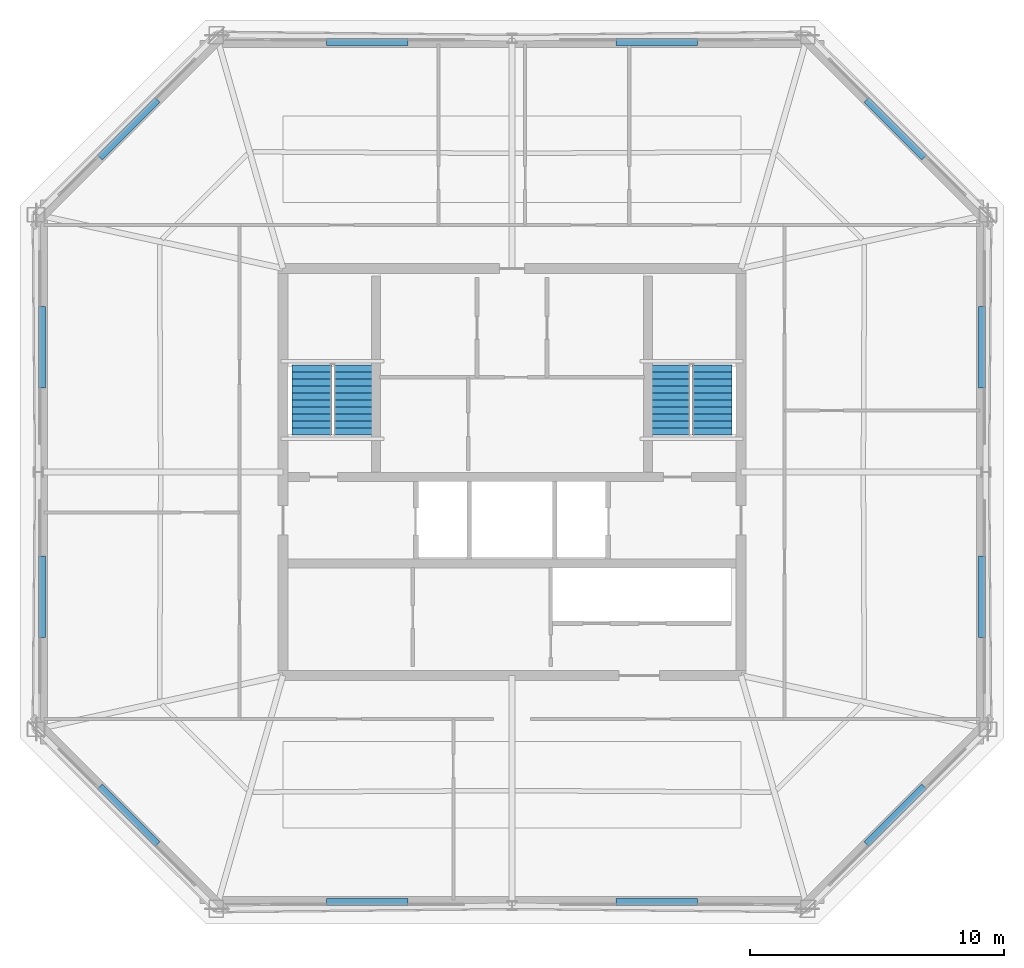
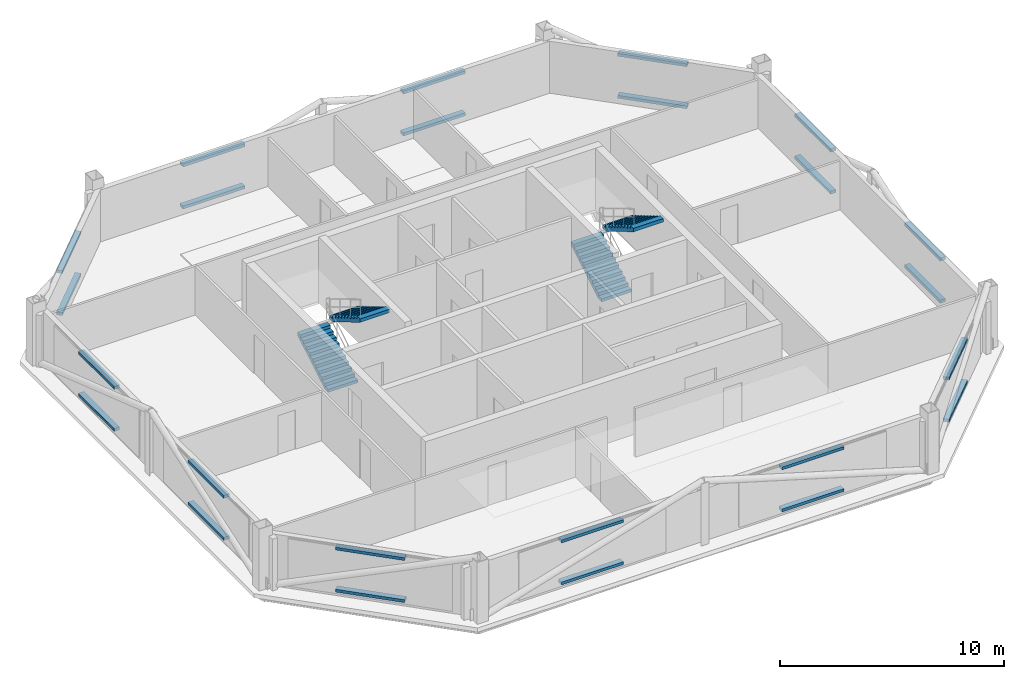
# One storey, part 4 of 6: 24 discrete accessories, 4 stair flights, 2 elements without a shape of their own.
"""IFC4 building model written with IfcOpenShell, lengths in metres."""

from ifc_helpers import new_model, si_unit, direction, frame, origin, origin_2d, place, context, subcontext, project, spatial, polyline, rectangle, outline, extrude, material, type_object, element, aggregate, save


model = new_model("IFC4")

# Units and contexts
model_context = context("Model", 3, precision=1e-05, world=origin(), true_north=direction((0.0, 1.0)))
body_context = subcontext(model_context, "Body", "Model", "MODEL_VIEW")
ifc_project = project(units=[si_unit("LENGTHUNIT", "METRE"), si_unit("AREAUNIT", "SQUARE_METRE"), si_unit("VOLUMEUNIT", "CUBIC_METRE"), si_unit("PLANEANGLEUNIT", "RADIAN"), si_unit("MASSUNIT", "GRAM", prefix="KILO")], contexts=[model_context])

# Site, building, storey
site_placement = place(None, origin())
site = spatial("IfcSite", under=ifc_project, at=site_placement, CompositionType="ELEMENT")
building_placement = place(site_placement, origin())
building = spatial("IfcBuilding", under=site, at=building_placement, Name="Caelvoria Tower", CompositionType="ELEMENT")
storey_placement = place(building_placement, frame((0.0, 0.0, 250.199951171875)))
storey = spatial("IfcBuildingStorey", under=building, at=storey_placement, Name="L66", CompositionType="ELEMENT", Elevation=250.199951171875)

# Stair, stair flights
ifc_material_1 = material(Name="Concrete C40/50", Category="concrete")
stair_type = type_object("IfcStairType", Name="Core Smokeproof Dogleg Stair Concrete C40/50", PredefinedType="HALF_TURN_STAIR", material=ifc_material_1)
stair_1_placement = place(storey_placement, origin())
stair_1 = element("IfcStair", 1, at=stair_1_placement, inside=storey, type_object=stair_type, Name="ST-01 Smokeproof Exit Stair L66", PredefinedType="HALF_TURN_STAIR")
ifc_material_2 = material(Name="Precast Concrete C40/50", Category="concrete")
stair_flight_type = type_object("IfcStairFlightType", Name="Precast Concrete C40/50 Stair Flight 1480", PredefinedType="STRAIGHT", material=ifc_material_2)
stair_flight_1_placement = place(storey_placement, frame((38.1298828125, 33.449951171875, 0.0), z_axis=(0.0, 0.0, 1.0), x_axis=(0.0, 1.0, 0.0)))
stair_flight_1 = element("IfcStairFlight", 2, at=stair_flight_1_placement, type_object=stair_flight_type, Name="ST-01 flight 1", NumberOfRisers=11, NumberOfTreads=10, PredefinedType="STRAIGHT", RiserHeight=0.1636, TreadLength=0.275, context=body_context, shape_type="SweptSolid", body=[
    extrude(outline(polyline([(0.0, 0.0), (0.0, 0.16357421875), (0.27490234375, 0.16357421875), (0.27490234375, 0.3271484375), (0.550048828125, 0.3271484375), (0.550048828125, 0.49072265625), (0.824951171875, 0.49072265625), (0.824951171875, 0.654296875), (1.10009765625, 0.654296875), (1.10009765625, 0.818115234375), (1.375, 0.818115234375), (1.375, 0.981689453125), (1.64990234375, 0.981689453125), (1.64990234375, 1.145263671875), (1.925048828125, 1.145263671875), (1.925048828125, 1.308837890625), (2.199951171875, 1.308837890625), (2.199951171875, 1.472412109375), (2.47509765625, 1.472412109375), (2.47509765625, 1.635986328125), (2.75, 1.635986328125), (2.75, 1.799560546875), (2.75, 1.449951171875), (0.312744140625, 0.0), (0.0, 0.0)])), frame((0.0, 0.77001953125, 0.0), z_axis=(0.0, -1.0, 0.0), x_axis=(1.0, 0.0, 0.0)), (0.0, 0.0, 1.0), 1.5400390625),
])
stair_flight_2_placement = place(storey_placement, frame((39.77001953125, 36.199951171875, 1.800048828125), z_axis=(0.0, 0.0, 1.0), x_axis=(0.0, -1.0, 0.0)))
stair_flight_2 = element("IfcStairFlight", 3, at=stair_flight_2_placement, type_object=stair_flight_type, Name="ST-01 flight 2", NumberOfRisers=11, NumberOfTreads=10, PredefinedType="STRAIGHT", RiserHeight=0.1636, TreadLength=0.275, context=body_context, shape_type="SweptSolid", body=[
    extrude(outline(polyline([(0.0, 0.0), (0.0, 0.16357421875), (0.27490234375, 0.16357421875), (0.27490234375, 0.3271484375), (0.550048828125, 0.3271484375), (0.550048828125, 0.49072265625), (0.824951171875, 0.49072265625), (0.824951171875, 0.654296875), (1.10009765625, 0.654296875), (1.10009765625, 0.818115234375), (1.375, 0.818115234375), (1.375, 0.981689453125), (1.64990234375, 0.981689453125), (1.64990234375, 1.145263671875), (1.925048828125, 1.145263671875), (1.925048828125, 1.308837890625), (2.199951171875, 1.308837890625), (2.199951171875, 1.472412109375), (2.47509765625, 1.472412109375), (2.47509765625, 1.635986328125), (2.75, 1.635986328125), (2.75, 1.799560546875), (2.75, 1.449951171875), (0.312744140625, 0.0), (0.0, 0.0)])), frame((0.0, 0.77001953125, 0.0), z_axis=(0.0, -1.0, 0.0), x_axis=(1.0, 0.0, 0.0)), (0.0, 0.0, 1.0), 1.5400390625),
])
aggregate(stair_1, [stair_flight_1, stair_flight_2])

stair_2_placement = place(storey_placement, origin())
stair_2 = element("IfcStair", 4, at=stair_2_placement, inside=storey, type_object=stair_type, Name="ST-02 Smokeproof Exit Stair L66", PredefinedType="HALF_TURN_STAIR")
stair_flight_3_placement = place(storey_placement, frame((52.22998046875, 33.449951171875, 0.0), z_axis=(0.0, 0.0, 1.0), x_axis=(0.0, 1.0, 0.0)))
stair_flight_3 = element("IfcStairFlight", 5, at=stair_flight_3_placement, type_object=stair_flight_type, Name="ST-02 flight 1", NumberOfRisers=11, NumberOfTreads=10, PredefinedType="STRAIGHT", RiserHeight=0.1636, TreadLength=0.275, context=body_context, shape_type="SweptSolid", body=[
    extrude(outline(polyline([(0.0, 0.0), (0.0, 0.16357421875), (0.27490234375, 0.16357421875), (0.27490234375, 0.3271484375), (0.550048828125, 0.3271484375), (0.550048828125, 0.49072265625), (0.824951171875, 0.49072265625), (0.824951171875, 0.654296875), (1.10009765625, 0.654296875), (1.10009765625, 0.818115234375), (1.375, 0.818115234375), (1.375, 0.981689453125), (1.64990234375, 0.981689453125), (1.64990234375, 1.145263671875), (1.925048828125, 1.145263671875), (1.925048828125, 1.308837890625), (2.199951171875, 1.308837890625), (2.199951171875, 1.472412109375), (2.47509765625, 1.472412109375), (2.47509765625, 1.635986328125), (2.75, 1.635986328125), (2.75, 1.799560546875), (2.75, 1.449951171875), (0.312744140625, 0.0), (0.0, 0.0)])), frame((0.0, 0.77001953125, 0.0), z_axis=(0.0, -1.0, 0.0), x_axis=(1.0, 0.0, 0.0)), (0.0, 0.0, 1.0), 1.5400390625),
])
stair_flight_4_placement = place(storey_placement, frame((53.8701171875, 36.199951171875, 1.800048828125), z_axis=(0.0, 0.0, 1.0), x_axis=(0.0, -1.0, 0.0)))
stair_flight_4 = element("IfcStairFlight", 6, at=stair_flight_4_placement, type_object=stair_flight_type, Name="ST-02 flight 2", NumberOfRisers=11, NumberOfTreads=10, PredefinedType="STRAIGHT", RiserHeight=0.1636, TreadLength=0.275, context=body_context, shape_type="SweptSolid", body=[
    extrude(outline(polyline([(0.0, 0.0), (0.0, 0.16357421875), (0.27490234375, 0.16357421875), (0.27490234375, 0.3271484375), (0.550048828125, 0.3271484375), (0.550048828125, 0.49072265625), (0.824951171875, 0.49072265625), (0.824951171875, 0.654296875), (1.10009765625, 0.654296875), (1.10009765625, 0.818115234375), (1.375, 0.818115234375), (1.375, 0.981689453125), (1.64990234375, 0.981689453125), (1.64990234375, 1.145263671875), (1.925048828125, 1.145263671875), (1.925048828125, 1.308837890625), (2.199951171875, 1.308837890625), (2.199951171875, 1.472412109375), (2.47509765625, 1.472412109375), (2.47509765625, 1.635986328125), (2.75, 1.635986328125), (2.75, 1.799560546875), (2.75, 1.449951171875), (0.312744140625, 0.0), (0.0, 0.0)])), frame((0.0, 0.77001953125, 0.0), z_axis=(0.0, -1.0, 0.0), x_axis=(1.0, 0.0, 0.0)), (0.0, 0.0, 1.0), 1.5400390625),
])
aggregate(stair_2, [stair_flight_3, stair_flight_4])

# Discrete accessories
ifc_material_3 = material(Name="Anodised Bronze Stainless Bracket", Category="bronze")
discrete_accessory_type = type_object("IfcDiscreteAccessoryType", Name="Solar Screen Outrigger Support Bracket", PredefinedType="BRACKET", material=ifc_material_3)
for number, where, z_axis, x_axis, name in (
    (7, (40.31640625, 15.103515625, 0.240234375), (0.0, 0.0, 1.0), (1.0, 0.0, 0.0), "Solar Screen Bracket L66-E0-00"),
    (8, (40.31640625, 15.103515625, 2.5322265625), (0.0, 0.0, 1.0), (1.0, 0.0, 0.0), "Upper Screen Band Bracket L66-E0-00"),
    (9, (51.68359375, 15.103515625, 0.240234375), (0.0, 0.0, 1.0), (1.0, 0.0, 0.0), "Solar Screen Bracket L66-E0-01"),
    (10, (51.68359375, 15.103515625, 2.5322265625), (0.0, 0.0, 1.0), (1.0, 0.0, 0.0), "Upper Screen Band Bracket L66-E0-01"),
    (11, (61.068603515625, 18.504150390625, 0.240234375), (0.0, 0.0, 1.0), (0.707106781187, 0.707106781187, 0.0), "Solar Screen Bracket L66-E1-00"),
    (12, (61.068603515625, 18.504150390625, 2.5322265625), (0.0, 0.0, 1.0), (0.707106781187, 0.707106781187, 0.0), "Upper Screen Band Bracket L66-E1-00"),
    (13, (64.46923828125, 27.102783203125, 0.240234375), (0.0, 0.0, 1.0), (0.0, 1.0, 0.0), "Solar Screen Bracket L66-E2-00"),
    (14, (64.46923828125, 27.102783203125, 2.5322265625), (0.0, 0.0, 1.0), (0.0, 1.0, 0.0), "Upper Screen Band Bracket L66-E2-00"),
    (15, (64.46923828125, 36.897216796875, 0.240234375), (0.0, 0.0, 1.0), (0.0, 1.0, 0.0), "Solar Screen Bracket L66-E2-01"),
    (16, (64.46923828125, 36.897216796875, 2.5322265625), (0.0, 0.0, 1.0), (0.0, 1.0, 0.0), "Upper Screen Band Bracket L66-E2-01"),
    (17, (61.068603515625, 45.495849609375, 0.240234375), (0.0, 0.0, 1.0), (-0.707106781187, 0.707106781187, 0.0), "Solar Screen Bracket L66-E3-00"),
    (18, (61.068603515625, 45.495849609375, 2.5322265625), (0.0, 0.0, 1.0), (-0.707106781187, 0.707106781187, 0.0), "Upper Screen Band Bracket L66-E3-00"),
    (19, (51.68359375, 48.896484375, 0.240234375), (0.0, 0.0, 1.0), (-1.0, 0.0, 0.0), "Solar Screen Bracket L66-E4-00"),
    (20, (51.68359375, 48.896484375, 2.5322265625), (0.0, 0.0, 1.0), (-1.0, 0.0, 0.0), "Upper Screen Band Bracket L66-E4-00"),
    (21, (40.31640625, 48.896484375, 0.240234375), (0.0, 0.0, 1.0), (-1.0, 0.0, 0.0), "Solar Screen Bracket L66-E4-01"),
    (22, (40.31640625, 48.896484375, 2.5322265625), (0.0, 0.0, 1.0), (-1.0, 0.0, 0.0), "Upper Screen Band Bracket L66-E4-01"),
    (23, (30.931396484375, 45.495849609375, 0.240234375), (0.0, 0.0, 1.0), (-0.707106781187, -0.707106781187, 0.0), "Solar Screen Bracket L66-E5-00"),
    (24, (30.931396484375, 45.495849609375, 2.5322265625), (0.0, 0.0, 1.0), (-0.707106781187, -0.707106781187, 0.0), "Upper Screen Band Bracket L66-E5-00"),
    (25, (27.53076171875, 36.897216796875, 0.240234375), (0.0, 0.0, 1.0), (0.0, -1.0, 0.0), "Solar Screen Bracket L66-E6-00"),
    (26, (27.53076171875, 36.897216796875, 2.5322265625), (0.0, 0.0, 1.0), (0.0, -1.0, 0.0), "Upper Screen Band Bracket L66-E6-00"),
    (27, (27.53076171875, 27.102783203125, 0.240234375), (0.0, 0.0, 1.0), (0.0, -1.0, 0.0), "Solar Screen Bracket L66-E6-01"),
    (28, (27.53076171875, 27.102783203125, 2.5322265625), (0.0, 0.0, 1.0), (0.0, -1.0, 0.0), "Upper Screen Band Bracket L66-E6-01"),
    (29, (30.931396484375, 18.504150390625, 0.240234375), (0.0, 0.0, 1.0), (0.707106781187, -0.707106781187, 0.0), "Solar Screen Bracket L66-E7-00"),
    (30, (30.931396484375, 18.504150390625, 2.5322265625), (0.0, 0.0, 1.0), (0.707106781187, -0.707106781187, 0.0), "Upper Screen Band Bracket L66-E7-00"),
):
    element("IfcDiscreteAccessory", number, at=place(storey_placement, frame(where, z_axis=z_axis, x_axis=x_axis)), inside=storey, type_object=discrete_accessory_type, Name=name, PredefinedType="BRACKET", context=body_context, shape_type="SweptSolid", body=[
        extrude(rectangle(XDim=3.199951171875, YDim=0.280029296875, at=origin_2d()), origin(), (0.0, 0.0, 1.0), 0.159912109375),
    ])

save(model, "model.ifc")
